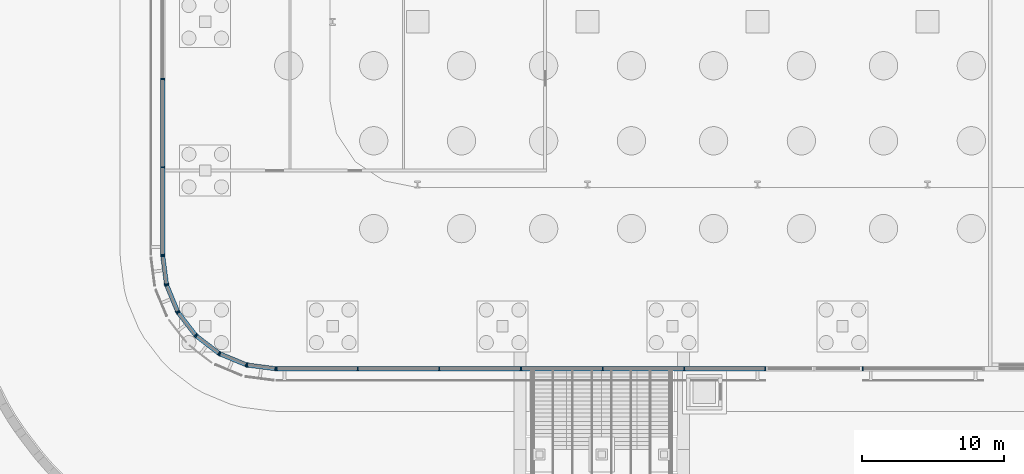
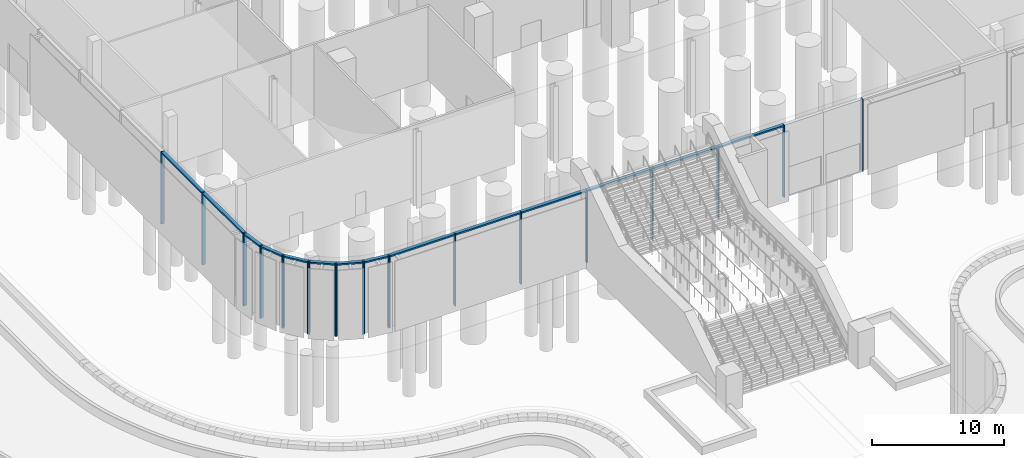
# One storey, part 6 of 48: 37 members, 9 elements without a shape of their own.
"""IFC4 building model written with IfcOpenShell, lengths in metres."""

from ifc_helpers import new_model, si_unit, direction, frame, origin, origin_2d, place, context, subcontext, project, spatial, rectangle, extrude, material, material_profile, profile_set, type_object, element, aggregate, save


model = new_model("IFC4")

# Units and contexts
model_context = context("Model", 3, precision=1e-05, world=origin(), true_north=direction((0.0, 1.0)))
body_context = subcontext(model_context, "Body", "Model", "MODEL_VIEW")
ifc_project = project(units=[si_unit("LENGTHUNIT", "METRE"), si_unit("AREAUNIT", "SQUARE_METRE"), si_unit("VOLUMEUNIT", "CUBIC_METRE"), si_unit("PLANEANGLEUNIT", "RADIAN"), si_unit("MASSUNIT", "GRAM", prefix="KILO")], contexts=[model_context])

# Site, building, storey
site_placement = place(None, origin())
site = spatial("IfcSite", under=ifc_project, at=site_placement, CompositionType="ELEMENT")
building_placement = place(site_placement, origin())
building = spatial("IfcBuilding", under=site, at=building_placement, Name="Mahtab Terrace Research Tower", CompositionType="ELEMENT")
storey_placement = place(building_placement, origin())
storey = spatial("IfcBuildingStorey", under=building, at=storey_placement, Name="G", CompositionType="ELEMENT", Elevation=0.0)

# Curtain wall, members
ifc_material_1 = material(Name="Ground lobby curtain wall")
curtain_wall_type = type_object("IfcCurtainWallType", Name="Ground lobby curtain wall", PredefinedType="NOTDEFINED", material=ifc_material_1)
curtain_wall_1_placement = place(storey_placement, origin())
curtain_wall_1 = element("IfcCurtainWall", 1, at=curtain_wall_1_placement, inside=storey, type_object=curtain_wall_type, Name="EN.G.12.4", PredefinedType="NOTDEFINED")
ifc_material_2 = material(Name="Natural anodised aluminium", Category="aluminium")
ifc_material_profile_1 = material_profile(ifc_material_2, rectangle(XDim=0.300048828125, YDim=0.080078125, at=origin_2d()), Name="MULLION 80x300")
ifc_profile_set_1 = profile_set([ifc_material_profile_1], Name="Natural anodised aluminium")
member_type_1 = type_object("IfcMemberType", Name="Ground lobby curtain wall mullion", PredefinedType="MULLION", material=ifc_profile_set_1)
member_1_placement = place(storey_placement, frame((-60.0, -15.5400390625, 0.0), z_axis=(0.0, 0.0, 1.0), x_axis=(1.0, 0.0, 0.0)))
member_1 = element("IfcMember", 2, at=member_1_placement, type_object=member_type_1, Name="CWG-1 mullion 4", PredefinedType="MULLION", context=body_context, shape_type="SweptSolid", body=[
    extrude(rectangle(XDim=0.300048828125, YDim=0.080078125, at=origin_2d()), origin(), (0.0, 0.0, 1.0), 6.699951171875),
])
member_2_placement = place(storey_placement, frame((-60.0, -21.77001953125, 0.0), z_axis=(0.0, 0.0, 1.0), x_axis=(1.0, 0.0, 0.0)))
member_2 = element("IfcMember", 3, at=member_2_placement, type_object=member_type_1, Name="CWG-1 mullion 5", PredefinedType="MULLION", context=body_context, shape_type="SweptSolid", body=[
    extrude(rectangle(XDim=0.300048828125, YDim=0.080078125, at=origin_2d()), origin(), (0.0, 0.0, 1.0), 6.699951171875),
])
member_3_placement = place(storey_placement, frame((-60.0, -27.9599609375, 0.0), z_axis=(0.0, 0.0, 1.0), x_axis=(1.0, 0.0, 0.0)))
member_3 = element("IfcMember", 4, at=member_3_placement, type_object=member_type_1, Name="CWG-1 mullion 6", PredefinedType="MULLION", context=body_context, shape_type="SweptSolid", body=[
    extrude(rectangle(XDim=0.300048828125, YDim=0.080078125, at=origin_2d()), origin(), (0.0, 0.0, 1.0), 6.699951171875),
])

curtain_wall_2_placement = place(storey_placement, origin())
curtain_wall_2 = element("IfcCurtainWall", 5, at=curtain_wall_2_placement, inside=storey, type_object=curtain_wall_type, Name="EN.G.13.0", PredefinedType="NOTDEFINED")
member_4_placement = place(storey_placement, frame((-59.994873046875, -28.03955078125, 0.0), z_axis=(0.0, 0.0, 1.0), x_axis=(0.991423309059, 0.130689793992, 0.0)))
member_4 = element("IfcMember", 6, at=member_4_placement, type_object=member_type_1, Name="CWG-1 mullion 1", PredefinedType="MULLION", context=body_context, shape_type="SweptSolid", body=[
    extrude(rectangle(XDim=0.300048828125, YDim=0.080078125, at=origin_2d()), origin(), (0.0, 0.0, 1.0), 6.699951171875),
])
member_5_placement = place(storey_placement, frame((-59.732177734375, -30.03125, 0.0), z_axis=(0.0, 0.0, 1.0), x_axis=(0.991423309059, 0.130689793992, 0.0)))
member_5 = element("IfcMember", 7, at=member_5_placement, type_object=member_type_1, Name="CWG-1 mullion 2", PredefinedType="MULLION", context=body_context, shape_type="SweptSolid", body=[
    extrude(rectangle(XDim=0.300048828125, YDim=0.080078125, at=origin_2d()), origin(), (0.0, 0.0, 1.0), 6.699951171875),
])

curtain_wall_3_placement = place(storey_placement, origin())
curtain_wall_3 = element("IfcCurtainWall", 8, at=curtain_wall_3_placement, inside=storey, type_object=curtain_wall_type, Name="EN.G.14.0", PredefinedType="NOTDEFINED")
member_6_placement = place(storey_placement, frame((-59.711669921875, -30.10791015625, 0.0), z_axis=(0.0, 0.0, 1.0), x_axis=(0.923882573998, 0.382676089485, 0.0)))
member_6 = element("IfcMember", 9, at=member_6_placement, type_object=member_type_1, Name="CWG-1 mullion 1", PredefinedType="MULLION", context=body_context, shape_type="SweptSolid", body=[
    extrude(rectangle(XDim=0.300048828125, YDim=0.080078125, at=origin_2d()), origin(), (0.0, 0.0, 1.0), 6.699951171875),
])
member_7_placement = place(storey_placement, frame((-58.943359375, -31.963134765625, 0.0), z_axis=(0.0, 0.0, 1.0), x_axis=(0.923882573998, 0.382676089485, 0.0)))
member_7 = element("IfcMember", 10, at=member_7_placement, type_object=member_type_1, Name="CWG-1 mullion 2", PredefinedType="MULLION", context=body_context, shape_type="SweptSolid", body=[
    extrude(rectangle(XDim=0.300048828125, YDim=0.080078125, at=origin_2d()), origin(), (0.0, 0.0, 1.0), 6.699951171875),
])

curtain_wall_4_placement = place(storey_placement, origin())
curtain_wall_4 = element("IfcCurtainWall", 11, at=curtain_wall_4_placement, inside=storey, type_object=curtain_wall_type, Name="EN.G.15.0", PredefinedType="NOTDEFINED")
member_8_placement = place(storey_placement, frame((-58.903564453125, -32.03173828125, 0.0), z_axis=(0.0, 0.0, 1.0), x_axis=(0.793459901021, 0.60862253119, 0.0)))
member_8 = element("IfcMember", 12, at=member_8_placement, type_object=member_type_1, Name="CWG-1 mullion 1", PredefinedType="MULLION", context=body_context, shape_type="SweptSolid", body=[
    extrude(rectangle(XDim=0.300048828125, YDim=0.080078125, at=origin_2d()), origin(), (0.0, 0.0, 1.0), 6.699951171875),
])
member_9_placement = place(storey_placement, frame((-57.681396484375, -33.625244140625, 0.0), z_axis=(0.0, 0.0, 1.0), x_axis=(0.793459901021, 0.60862253119, 0.0)))
member_9 = element("IfcMember", 13, at=member_9_placement, type_object=member_type_1, Name="CWG-1 mullion 2", PredefinedType="MULLION", context=body_context, shape_type="SweptSolid", body=[
    extrude(rectangle(XDim=0.300048828125, YDim=0.080078125, at=origin_2d()), origin(), (0.0, 0.0, 1.0), 6.699951171875),
])

curtain_wall_5_placement = place(storey_placement, origin())
curtain_wall_5 = element("IfcCurtainWall", 14, at=curtain_wall_5_placement, inside=storey, type_object=curtain_wall_type, Name="EN.G.16.0", PredefinedType="NOTDEFINED")
member_10_placement = place(storey_placement, frame((-57.625244140625, -33.681396484375, 0.0), z_axis=(0.0, 0.0, 1.0), x_axis=(0.60862253119, 0.793459901021, 0.0)))
member_10 = element("IfcMember", 15, at=member_10_placement, type_object=member_type_1, Name="CWG-1 mullion 1", PredefinedType="MULLION", context=body_context, shape_type="SweptSolid", body=[
    extrude(rectangle(XDim=0.300048828125, YDim=0.080078125, at=origin_2d()), origin(), (0.0, 0.0, 1.0), 6.699951171875),
])
member_11_placement = place(storey_placement, frame((-56.03173828125, -34.903564453125, 0.0), z_axis=(0.0, 0.0, 1.0), x_axis=(0.60862253119, 0.793459901021, 0.0)))
member_11 = element("IfcMember", 16, at=member_11_placement, type_object=member_type_1, Name="CWG-1 mullion 2", PredefinedType="MULLION", context=body_context, shape_type="SweptSolid", body=[
    extrude(rectangle(XDim=0.300048828125, YDim=0.080078125, at=origin_2d()), origin(), (0.0, 0.0, 1.0), 6.699951171875),
])

curtain_wall_6_placement = place(storey_placement, origin())
curtain_wall_6 = element("IfcCurtainWall", 17, at=curtain_wall_6_placement, inside=storey, type_object=curtain_wall_type, Name="EN.G.17.0", PredefinedType="NOTDEFINED")
member_12_placement = place(storey_placement, frame((-55.963134765625, -34.943359375, 0.0), z_axis=(0.0, 0.0, 1.0), x_axis=(0.382676089485, 0.923882573998, 0.0)))
member_12 = element("IfcMember", 18, at=member_12_placement, type_object=member_type_1, Name="CWG-1 mullion 1", PredefinedType="MULLION", context=body_context, shape_type="SweptSolid", body=[
    extrude(rectangle(XDim=0.300048828125, YDim=0.080078125, at=origin_2d()), origin(), (0.0, 0.0, 1.0), 6.699951171875),
])
member_13_placement = place(storey_placement, frame((-54.10791015625, -35.711669921875, 0.0), z_axis=(0.0, 0.0, 1.0), x_axis=(0.382676089485, 0.923882573998, 0.0)))
member_13 = element("IfcMember", 19, at=member_13_placement, type_object=member_type_1, Name="CWG-1 mullion 2", PredefinedType="MULLION", context=body_context, shape_type="SweptSolid", body=[
    extrude(rectangle(XDim=0.300048828125, YDim=0.080078125, at=origin_2d()), origin(), (0.0, 0.0, 1.0), 6.699951171875),
])

curtain_wall_7_placement = place(storey_placement, origin())
curtain_wall_7 = element("IfcCurtainWall", 20, at=curtain_wall_7_placement, inside=storey, type_object=curtain_wall_type, Name="EN.G.18.0", PredefinedType="NOTDEFINED")
member_14_placement = place(storey_placement, frame((-54.03125, -35.732177734375, 0.0), z_axis=(0.0, 0.0, 1.0), x_axis=(0.130689793992, 0.991423309059, 0.0)))
member_14 = element("IfcMember", 21, at=member_14_placement, type_object=member_type_1, Name="CWG-1 mullion 1", PredefinedType="MULLION", context=body_context, shape_type="SweptSolid", body=[
    extrude(rectangle(XDim=0.300048828125, YDim=0.080078125, at=origin_2d()), origin(), (0.0, 0.0, 1.0), 6.699951171875),
])
member_15_placement = place(storey_placement, frame((-52.03955078125, -35.994873046875, 0.0), z_axis=(0.0, 0.0, 1.0), x_axis=(0.130689793992, 0.991423309059, 0.0)))
member_15 = element("IfcMember", 22, at=member_15_placement, type_object=member_type_1, Name="CWG-1 mullion 2", PredefinedType="MULLION", context=body_context, shape_type="SweptSolid", body=[
    extrude(rectangle(XDim=0.300048828125, YDim=0.080078125, at=origin_2d()), origin(), (0.0, 0.0, 1.0), 6.699951171875),
])

curtain_wall_8_placement = place(storey_placement, origin())
curtain_wall_8 = element("IfcCurtainWall", 23, at=curtain_wall_8_placement, inside=storey, type_object=curtain_wall_type, Name="EN.G.19.0", PredefinedType="NOTDEFINED")
member_16_placement = place(storey_placement, frame((-51.9599609375, -36.0, 0.0), z_axis=(0.0, 0.0, 1.0), x_axis=(0.0, 1.0, 0.0)))
member_16 = element("IfcMember", 24, at=member_16_placement, type_object=member_type_1, Name="CWG-1 mullion 1", PredefinedType="MULLION", context=body_context, shape_type="SweptSolid", body=[
    extrude(rectangle(XDim=0.300048828125, YDim=0.080078125, at=origin_2d()), origin(), (0.0, 0.0, 1.0), 6.699951171875),
])
member_17_placement = place(storey_placement, frame((-46.2333984375, -36.0, 0.0), z_axis=(0.0, 0.0, 1.0), x_axis=(0.0, 1.0, 0.0)))
member_17 = element("IfcMember", 25, at=member_17_placement, type_object=member_type_1, Name="CWG-1 mullion 2", PredefinedType="MULLION", context=body_context, shape_type="SweptSolid", body=[
    extrude(rectangle(XDim=0.300048828125, YDim=0.080078125, at=origin_2d()), origin(), (0.0, 0.0, 1.0), 6.699951171875),
])
member_18_placement = place(storey_placement, frame((-40.466552734375, -36.0, 0.0), z_axis=(0.0, 0.0, 1.0), x_axis=(0.0, 1.0, 0.0)))
member_18 = element("IfcMember", 26, at=member_18_placement, type_object=member_type_1, Name="CWG-1 mullion 3", PredefinedType="MULLION", context=body_context, shape_type="SweptSolid", body=[
    extrude(rectangle(XDim=0.300048828125, YDim=0.080078125, at=origin_2d()), origin(), (0.0, 0.0, 1.0), 6.699951171875),
])
member_19_placement = place(storey_placement, frame((-34.699951171875, -36.0, 0.0), z_axis=(0.0, 0.0, 1.0), x_axis=(0.0, 1.0, 0.0)))
member_19 = element("IfcMember", 27, at=member_19_placement, type_object=member_type_1, Name="CWG-1 mullion 4", PredefinedType="MULLION", context=body_context, shape_type="SweptSolid", body=[
    extrude(rectangle(XDim=0.300048828125, YDim=0.080078125, at=origin_2d()), origin(), (0.0, 0.0, 1.0), 6.699951171875),
])
member_20_placement = place(storey_placement, frame((-28.933349609375, -36.0, 0.0), z_axis=(0.0, 0.0, 1.0), x_axis=(0.0, 1.0, 0.0)))
member_20 = element("IfcMember", 28, at=member_20_placement, type_object=member_type_1, Name="CWG-1 mullion 5", PredefinedType="MULLION", context=body_context, shape_type="SweptSolid", body=[
    extrude(rectangle(XDim=0.300048828125, YDim=0.080078125, at=origin_2d()), origin(), (0.0, 0.0, 1.0), 6.699951171875),
])
member_21_placement = place(storey_placement, frame((-23.166748046875, -36.0, 0.0), z_axis=(0.0, 0.0, 1.0), x_axis=(0.0, 1.0, 0.0)))
member_21 = element("IfcMember", 29, at=member_21_placement, type_object=member_type_1, Name="CWG-1 mullion 6", PredefinedType="MULLION", context=body_context, shape_type="SweptSolid", body=[
    extrude(rectangle(XDim=0.300048828125, YDim=0.080078125, at=origin_2d()), origin(), (0.0, 0.0, 1.0), 6.699951171875),
])
member_22_placement = place(storey_placement, frame((-17.43994140625, -36.0, 0.0), z_axis=(0.0, 0.0, 1.0), x_axis=(0.0, 1.0, 0.0)))
member_22 = element("IfcMember", 30, at=member_22_placement, type_object=member_type_1, Name="CWG-1 mullion 7", PredefinedType="MULLION", context=body_context, shape_type="SweptSolid", body=[
    extrude(rectangle(XDim=0.300048828125, YDim=0.080078125, at=origin_2d()), origin(), (0.0, 0.0, 1.0), 6.699951171875),
])

# Curtain wall, member
curtain_wall_9_placement = place(storey_placement, origin())
curtain_wall_9 = element("IfcCurtainWall", 31, at=curtain_wall_9_placement, inside=storey, type_object=curtain_wall_type, Name="EN.G.19.3", PredefinedType="NOTDEFINED")
member_23_placement = place(storey_placement, frame((-10.56005859375, -36.0, 0.0), z_axis=(0.0, 0.0, 1.0), x_axis=(0.0, 1.0, 0.0)))
member_23 = element("IfcMember", 32, at=member_23_placement, type_object=member_type_1, Name="CWG-1 mullion 1", PredefinedType="MULLION", context=body_context, shape_type="SweptSolid", body=[
    extrude(rectangle(XDim=0.300048828125, YDim=0.080078125, at=origin_2d()), origin(), (0.0, 0.0, 1.0), 6.699951171875),
])
aggregate(curtain_wall_9, [member_23])

# Member
ifc_material_profile_2 = material_profile(ifc_material_2, rectangle(XDim=0.300048828125, YDim=0.139892578125, at=origin_2d()), Name="TRANSOM 140x300")
ifc_profile_set_2 = profile_set([ifc_material_profile_2], Name="Natural anodised aluminium")
member_type_2 = type_object("IfcMemberType", Name="Ground lobby curtain wall transom", PredefinedType="USERDEFINED", material=ifc_profile_set_2)
member_24_placement = place(storey_placement, frame((-60.0, -15.580078125, 6.6298828125), z_axis=(0.0, -1.0, 0.0), x_axis=(1.0, 0.0, 0.0)))
member_24 = element("IfcMember", 33, at=member_24_placement, type_object=member_type_2, Name="CWG-1 transom 4", ObjectType="TRANSOM", PredefinedType="USERDEFINED", context=body_context, shape_type="SweptSolid", body=[
    extrude(rectangle(XDim=0.300048828125, YDim=0.139892578125, at=origin_2d()), origin(), (0.0, 0.0, 1.0), 6.14990234375),
])

member_25_placement = place(storey_placement, frame((-60.0, -21.81005859375, 6.6298828125), z_axis=(0.0, -1.0, 0.0), x_axis=(1.0, 0.0, 0.0)))
member_25 = element("IfcMember", 34, at=member_25_placement, type_object=member_type_2, Name="CWG-1 transom 5", ObjectType="TRANSOM", PredefinedType="USERDEFINED", context=body_context, shape_type="SweptSolid", body=[
    extrude(rectangle(XDim=0.300048828125, YDim=0.139892578125, at=origin_2d()), origin(), (0.0, 0.0, 1.0), 6.10986328125),
])

aggregate(curtain_wall_1, [member_1, member_2, member_3, member_24, member_25])

member_26_placement = place(storey_placement, frame((-59.989501953125, -28.079345703125, 6.6298828125), z_axis=(0.130621491668, -0.991432310304, 0.0), x_axis=(0.991432310304, 0.130621491668, 0.0)))
member_26 = element("IfcMember", 35, at=member_26_placement, type_object=member_type_2, Name="CWG-1 transom 1", ObjectType="TRANSOM", PredefinedType="USERDEFINED", context=body_context, shape_type="SweptSolid", body=[
    extrude(rectangle(XDim=0.300048828125, YDim=0.139892578125, at=origin_2d()), origin(), (0.0, 0.0, 1.0), 1.928955078125),
])

aggregate(curtain_wall_2, [member_4, member_5, member_26])

member_27_placement = place(storey_placement, frame((-59.6962890625, -30.14501953125, 6.6298828125), z_axis=(0.38271716517, -0.923865559204, 0.0), x_axis=(0.923865559204, 0.38271716517, 0.0)))
member_27 = element("IfcMember", 36, at=member_27_placement, type_object=member_type_2, Name="CWG-1 transom 1", ObjectType="TRANSOM", PredefinedType="USERDEFINED", context=body_context, shape_type="SweptSolid", body=[
    extrude(rectangle(XDim=0.300048828125, YDim=0.139892578125, at=origin_2d()), origin(), (0.0, 0.0, 1.0), 1.927734375),
])

aggregate(curtain_wall_3, [member_6, member_7, member_27])

member_28_placement = place(storey_placement, frame((-58.87939453125, -32.0634765625, 6.6298828125), z_axis=(0.608614930478, -0.793465731081, 0.0), x_axis=(0.793465731081, 0.608614930478, 0.0)))
member_28 = element("IfcMember", 37, at=member_28_placement, type_object=member_type_2, Name="CWG-1 transom 1", ObjectType="TRANSOM", PredefinedType="USERDEFINED", context=body_context, shape_type="SweptSolid", body=[
    extrude(rectangle(XDim=0.300048828125, YDim=0.139892578125, at=origin_2d()), origin(), (0.0, 0.0, 1.0), 1.92822265625),
])

aggregate(curtain_wall_4, [member_8, member_9, member_28])

member_29_placement = place(storey_placement, frame((-57.593505859375, -33.705810546875, 6.6298828125), z_axis=(0.793465731081, -0.608614930478, 0.0), x_axis=(0.608614930478, 0.793465731081, 0.0)))
member_29 = element("IfcMember", 38, at=member_29_placement, type_object=member_type_2, Name="CWG-1 transom 1", ObjectType="TRANSOM", PredefinedType="USERDEFINED", context=body_context, shape_type="SweptSolid", body=[
    extrude(rectangle(XDim=0.300048828125, YDim=0.139892578125, at=origin_2d()), origin(), (0.0, 0.0, 1.0), 1.92822265625),
])

aggregate(curtain_wall_5, [member_10, member_11, member_29])

member_30_placement = place(storey_placement, frame((-55.926025390625, -34.95849609375, 6.6298828125), z_axis=(0.923865559204, -0.38271716517, 0.0), x_axis=(0.38271716517, 0.923865559204, 0.0)))
member_30 = element("IfcMember", 39, at=member_30_placement, type_object=member_type_2, Name="CWG-1 transom 1", ObjectType="TRANSOM", PredefinedType="USERDEFINED", context=body_context, shape_type="SweptSolid", body=[
    extrude(rectangle(XDim=0.300048828125, YDim=0.139892578125, at=origin_2d()), origin(), (0.0, 0.0, 1.0), 1.927734375),
])

aggregate(curtain_wall_6, [member_12, member_13, member_30])

member_31_placement = place(storey_placement, frame((-53.99169921875, -35.737548828125, 6.6298828125), z_axis=(0.991432310304, -0.130621491668, 0.0), x_axis=(0.130621491668, 0.991432310304, 0.0)))
member_31 = element("IfcMember", 40, at=member_31_placement, type_object=member_type_2, Name="CWG-1 transom 1", ObjectType="TRANSOM", PredefinedType="USERDEFINED", context=body_context, shape_type="SweptSolid", body=[
    extrude(rectangle(XDim=0.300048828125, YDim=0.139892578125, at=origin_2d()), origin(), (0.0, 0.0, 1.0), 1.928955078125),
])

aggregate(curtain_wall_7, [member_14, member_15, member_31])

member_32_placement = place(storey_placement, frame((-51.919921875, -36.0, 6.6298828125), z_axis=(1.0, 0.0, 0.0), x_axis=(0.0, 1.0, 0.0)))
member_32 = element("IfcMember", 41, at=member_32_placement, type_object=member_type_2, Name="CWG-1 transom 1", ObjectType="TRANSOM", PredefinedType="USERDEFINED", context=body_context, shape_type="SweptSolid", body=[
    extrude(rectangle(XDim=0.300048828125, YDim=0.139892578125, at=origin_2d()), origin(), (0.0, 0.0, 1.0), 5.646484375),
])

member_33_placement = place(storey_placement, frame((-46.193359375, -36.0, 6.6298828125), z_axis=(1.0, 0.0, 0.0), x_axis=(0.0, 1.0, 0.0)))
member_33 = element("IfcMember", 42, at=member_33_placement, type_object=member_type_2, Name="CWG-1 transom 2", ObjectType="TRANSOM", PredefinedType="USERDEFINED", context=body_context, shape_type="SweptSolid", body=[
    extrude(rectangle(XDim=0.300048828125, YDim=0.139892578125, at=origin_2d()), origin(), (0.0, 0.0, 1.0), 5.686767578125),
])

member_34_placement = place(storey_placement, frame((-40.4267578125, -36.0, 6.6298828125), z_axis=(1.0, 0.0, 0.0), x_axis=(0.0, 1.0, 0.0)))
member_34 = element("IfcMember", 43, at=member_34_placement, type_object=member_type_2, Name="CWG-1 transom 3", ObjectType="TRANSOM", PredefinedType="USERDEFINED", context=body_context, shape_type="SweptSolid", body=[
    extrude(rectangle(XDim=0.300048828125, YDim=0.139892578125, at=origin_2d()), origin(), (0.0, 0.0, 1.0), 5.686767578125),
])

member_35_placement = place(storey_placement, frame((-34.659912109375, -36.0, 6.6298828125), z_axis=(1.0, 0.0, 0.0), x_axis=(0.0, 1.0, 0.0)))
member_35 = element("IfcMember", 44, at=member_35_placement, type_object=member_type_2, Name="CWG-1 transom 4", ObjectType="TRANSOM", PredefinedType="USERDEFINED", context=body_context, shape_type="SweptSolid", body=[
    extrude(rectangle(XDim=0.300048828125, YDim=0.139892578125, at=origin_2d()), origin(), (0.0, 0.0, 1.0), 5.6865234375),
])

member_36_placement = place(storey_placement, frame((-28.893310546875, -36.0, 6.6298828125), z_axis=(1.0, 0.0, 0.0), x_axis=(0.0, 1.0, 0.0)))
member_36 = element("IfcMember", 45, at=member_36_placement, type_object=member_type_2, Name="CWG-1 transom 5", ObjectType="TRANSOM", PredefinedType="USERDEFINED", context=body_context, shape_type="SweptSolid", body=[
    extrude(rectangle(XDim=0.300048828125, YDim=0.139892578125, at=origin_2d()), origin(), (0.0, 0.0, 1.0), 5.6865234375),
])

member_37_placement = place(storey_placement, frame((-23.126708984375, -36.0, 6.6298828125), z_axis=(1.0, 0.0, 0.0), x_axis=(0.0, 1.0, 0.0)))
member_37 = element("IfcMember", 46, at=member_37_placement, type_object=member_type_2, Name="CWG-1 transom 6", ObjectType="TRANSOM", PredefinedType="USERDEFINED", context=body_context, shape_type="SweptSolid", body=[
    extrude(rectangle(XDim=0.300048828125, YDim=0.139892578125, at=origin_2d()), origin(), (0.0, 0.0, 1.0), 5.646728515625),
])

aggregate(curtain_wall_8, [member_16, member_17, member_18, member_19, member_20, member_21, member_22, member_32, member_33, member_34, member_35, member_36, member_37])

save(model, "model.ifc")
